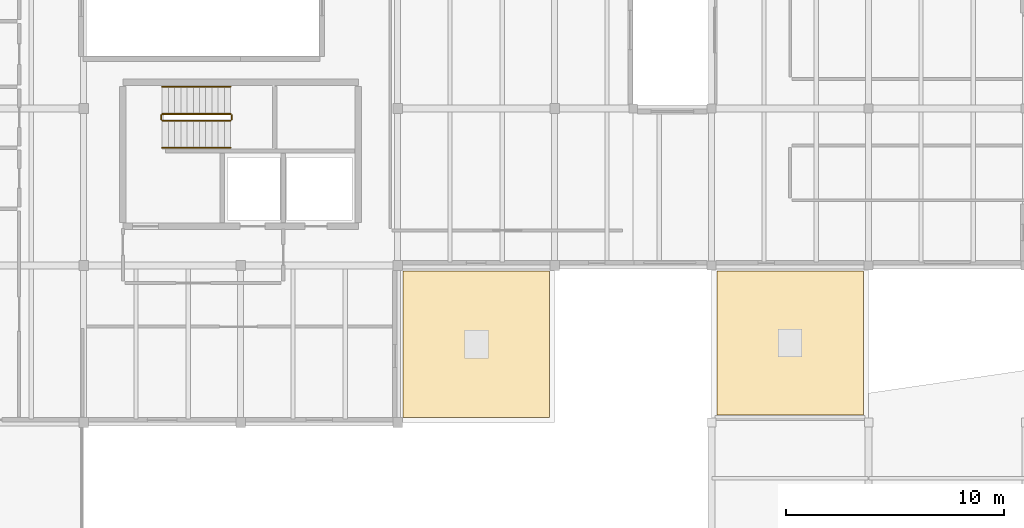
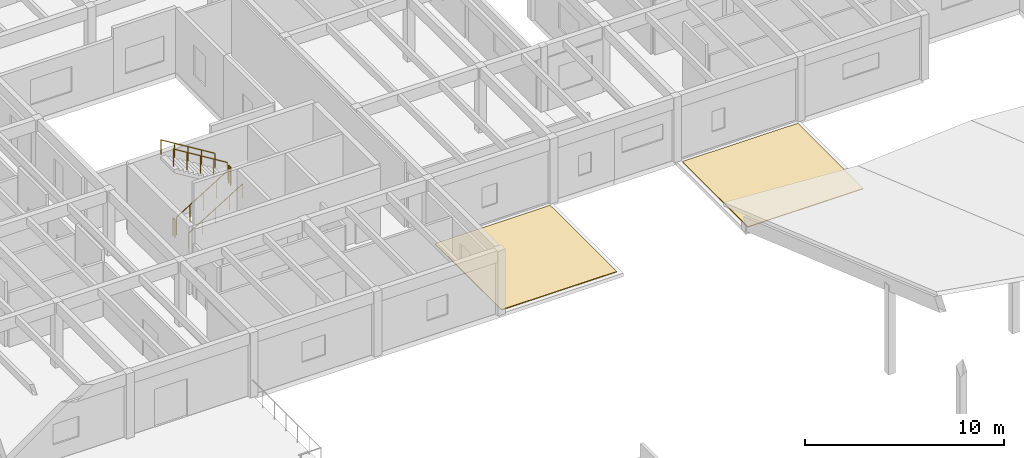
# One storey, part 65 of 68: 6 railings, 2 coverings.
"""IFC4 building model written with IfcOpenShell, lengths in metres."""

from ifc_helpers import new_model, si_unit, direction, frame, origin, origin_2d, place, context, subcontext, project, spatial, polyline, circle, outline, extrude, material, layer, layer_set, type_object, element, save


model = new_model("IFC4")

# Units and contexts
model_context = context("Model", 3, precision=1e-05, world=origin(), true_north=direction((0.0, 1.0)))
body_context = subcontext(model_context, "Body", "Model", "MODEL_VIEW")
ifc_project = project(units=[si_unit("LENGTHUNIT", "METRE"), si_unit("AREAUNIT", "SQUARE_METRE"), si_unit("VOLUMEUNIT", "CUBIC_METRE"), si_unit("PLANEANGLEUNIT", "RADIAN"), si_unit("MASSUNIT", "GRAM", prefix="KILO")], contexts=[model_context])

# Site, building, storey
site_placement = place(None, origin())
site = spatial("IfcSite", under=ifc_project, at=site_placement, CompositionType="ELEMENT")
building_placement = place(site_placement, origin())
building = spatial("IfcBuilding", under=site, at=building_placement, Name="Bramvelor Terrace Health Centre", CompositionType="ELEMENT")
storey_placement = place(building_placement, frame((0.0, 0.0, 9.300048828125)))
storey = spatial("IfcBuildingStorey", under=building, at=storey_placement, Name="L03", CompositionType="ELEMENT", Elevation=9.300048828125)

# Coverings
ifc_material_1 = material(Name="TPO standing-seam insulated roofing", Category="membrane")
ifc_layer = layer(ifc_material_1, 0.044921875)
ifc_layer_set = layer_set([ifc_layer], Name="TPO standing-seam insulated roofing")
covering_type = type_object("IfcCoveringType", Name="COV-ROOF-MEM", PredefinedType="ROOFING", material=ifc_layer_set)
covering_1_placement = place(storey_placement, frame((0.0, 0.0, -0.080078125)))
element("IfcCovering", 1, at=covering_1_placement, inside=storey, type_object=covering_type, Name="L03 Insulated Roof Membrane 2", PredefinedType="ROOFING", context=body_context, shape_type="SweptSolid", body=[
    extrude(outline(polyline([(43.43994140625, 79.5400390625), (43.43994140625, 86.14990234375), (50.159912109375, 86.14990234375), (50.159912109375, 79.5400390625), (43.43994140625, 79.5400390625)])), origin(), (0.0, 0.0, 1.0), 0.044921875),
])
covering_2_placement = place(storey_placement, frame((0.0, 0.0, -0.080078125)))
element("IfcCovering", 2, at=covering_2_placement, inside=storey, type_object=covering_type, Name="L03 Insulated Roof Membrane 3", PredefinedType="ROOFING", context=body_context, shape_type="SweptSolid", body=[
    extrude(outline(polyline([(29.050048828125, 79.43994140625), (29.050048828125, 86.14990234375), (35.760009765625, 86.14990234375), (35.760009765625, 79.43994140625), (29.050048828125, 79.43994140625)])), origin(), (0.0, 0.0, 1.0), 0.044921875),
])

# Railings
ifc_material_2 = material(Name="Painted galvanized steel", Category="steel")
railing_type_1 = type_object("IfcRailingType", Name="RLG-GD-1100", PredefinedType="GUARDRAIL", material=ifc_material_2)
railing_1_placement = place(storey_placement, frame((18.0, 93.050048828125, 0.175048828125)))
element("IfcRailing", 3, at=railing_1_placement, inside=storey, type_object=railing_type_1, Name="L03 ST-2 stair guard 1", PredefinedType="GUARDRAIL", context=body_context, shape_type="SweptSolid", body=[
    extrude(circle(Radius=0.02392578125, at=origin_2d()), frame((0.0, 0.0, 1.076171875), z_axis=(0.852195625947, 0.0, 0.523223293744), x_axis=(0.0, 1.0, 0.0)), (0.0, 0.0, 1.0), 3.6787109375),
    extrude(circle(Radius=0.02099609375, at=origin_2d()), origin(), (0.0, 0.0, 1.0), 1.052001953125),
    extrude(circle(Radius=0.02099609375, at=origin_2d()), frame((0.78369140625, 0.0, 0.481201171875)), (0.0, 0.0, 1.0), 1.052001953125),
    extrude(circle(Radius=0.02099609375, at=origin_2d()), frame((1.5673828125, 0.0, 0.96240234375)), (0.0, 0.0, 1.0), 1.052001953125),
    extrude(circle(Radius=0.02099609375, at=origin_2d()), frame((2.351318359375, 0.0, 1.443603515625)), (0.0, 0.0, 1.0), 1.052001953125),
    extrude(circle(Radius=0.02099609375, at=origin_2d()), frame((3.135009765625, 0.0, 1.9248046875)), (0.0, 0.0, 1.0), 1.052001953125),
])
railing_2_placement = place(storey_placement, frame((21.18505859375, 93.10009765625, 2.099853515625)))
element("IfcRailing", 4, at=railing_2_placement, inside=storey, type_object=railing_type_1, Name="L03 ST-2 stair guard 2", PredefinedType="GUARDRAIL", context=body_context, shape_type="SweptSolid", body=[
    extrude(circle(Radius=0.02392578125, at=origin_2d()), frame((0.0, 0.0, 1.076171875), z_axis=(0.0, 1.0, 0.0), x_axis=(-1.0, 0.0, 0.0)), (0.0, 0.0, 1.0), 0.199951171875),
    extrude(circle(Radius=0.02099609375, at=origin_2d()), origin(), (0.0, 0.0, 1.0), 1.052001953125),
    extrude(circle(Radius=0.02099609375, at=origin_2d()), frame((0.0, 0.199951171875, 0.0)), (0.0, 0.0, 1.0), 1.052001953125),
])
railing_3_placement = place(storey_placement, frame((21.135009765625, 93.35009765625, 2.27490234375)))
element("IfcRailing", 5, at=railing_3_placement, inside=storey, type_object=railing_type_1, Name="L03 ST-2 stair guard 3", PredefinedType="GUARDRAIL", context=body_context, shape_type="SweptSolid", body=[
    extrude(circle(Radius=0.02392578125, at=origin_2d()), frame((0.0, 0.0, 1.076171875), z_axis=(-0.852166034122, 0.0, 0.523271488128), x_axis=(0.0, -1.0, 0.0)), (0.0, 0.0, 1.0), 3.678955078125),
    extrude(circle(Radius=0.02099609375, at=origin_2d()), origin(), (0.0, 0.0, 1.0), 1.052001953125),
    extrude(circle(Radius=0.02099609375, at=origin_2d()), frame((-0.78369140625, 0.0, 0.481201171875)), (0.0, 0.0, 1.0), 1.052001953125),
    extrude(circle(Radius=0.02099609375, at=origin_2d()), frame((-1.5673828125, 0.0, 0.96240234375)), (0.0, 0.0, 1.0), 1.052001953125),
    extrude(circle(Radius=0.02099609375, at=origin_2d()), frame((-2.351318359375, 0.0, 1.44384765625)), (0.0, 0.0, 1.0), 1.052001953125),
    extrude(circle(Radius=0.02099609375, at=origin_2d()), frame((-3.135009765625, 0.0, 1.925048828125)), (0.0, 0.0, 1.0), 1.052001953125),
])
railing_4_placement = place(storey_placement, frame((17.949951171875, 93.10009765625, 0.0)))
element("IfcRailing", 6, at=railing_4_placement, inside=storey, type_object=railing_type_1, Name="L03 ST-2 stair guard 4", PredefinedType="GUARDRAIL", context=body_context, shape_type="SweptSolid", body=[
    extrude(circle(Radius=0.02392578125, at=origin_2d()), frame((0.0, 0.0, 1.076171875), z_axis=(0.0, 1.0, 0.0), x_axis=(-1.0, 0.0, 0.0)), (0.0, 0.0, 1.0), 0.199951171875),
    extrude(circle(Radius=0.02099609375, at=origin_2d()), origin(), (0.0, 0.0, 1.0), 1.052001953125),
    extrude(circle(Radius=0.02099609375, at=origin_2d()), frame((0.0, 0.199951171875, 0.0)), (0.0, 0.0, 1.0), 1.052001953125),
])
ifc_material_3 = material(Name="Brushed stainless steel 316", Category="steel")
railing_type_2 = type_object("IfcRailingType", Name="RLG-HR-900", PredefinedType="HANDRAIL", material=ifc_material_3)
railing_5_placement = place(storey_placement, frame((18.0, 91.800048828125, 0.175048828125)))
element("IfcRailing", 7, at=railing_5_placement, inside=storey, type_object=railing_type_2, Name="L03 ST-2 stair handrail 1", PredefinedType="HANDRAIL", context=body_context, shape_type="SweptSolid", body=[
    extrude(circle(Radius=0.02392578125, at=origin_2d()), frame((0.0, 0.0, 0.8759765625), z_axis=(0.852195625947, 0.0, 0.523223293744), x_axis=(0.0, 1.0, 0.0)), (0.0, 0.0, 1.0), 3.6787109375),
    extrude(circle(Radius=0.02099609375, at=origin_2d()), origin(), (0.0, 0.0, 1.0), 0.851806640625),
    extrude(circle(Radius=0.02099609375, at=origin_2d()), frame((0.78369140625, 0.0, 0.481201171875)), (0.0, 0.0, 1.0), 0.851806640625),
    extrude(circle(Radius=0.02099609375, at=origin_2d()), frame((1.5673828125, 0.0, 0.96240234375)), (0.0, 0.0, 1.0), 0.851806640625),
    extrude(circle(Radius=0.02099609375, at=origin_2d()), frame((2.351318359375, 0.0, 1.443603515625)), (0.0, 0.0, 1.0), 0.851806640625),
    extrude(circle(Radius=0.02099609375, at=origin_2d()), frame((3.135009765625, 0.0, 1.9248046875)), (0.0, 0.0, 1.0), 0.851806640625),
])
railing_6_placement = place(storey_placement, frame((21.135009765625, 94.60009765625, 2.27490234375)))
element("IfcRailing", 8, at=railing_6_placement, inside=storey, type_object=railing_type_2, Name="L03 ST-2 stair handrail 2", PredefinedType="HANDRAIL", context=body_context, shape_type="SweptSolid", body=[
    extrude(circle(Radius=0.02392578125, at=origin_2d()), frame((0.0, 0.0, 0.8759765625), z_axis=(-0.852166034122, 0.0, 0.523271488128), x_axis=(0.0, -1.0, 0.0)), (0.0, 0.0, 1.0), 3.678955078125),
    extrude(circle(Radius=0.02099609375, at=origin_2d()), origin(), (0.0, 0.0, 1.0), 0.851806640625),
    extrude(circle(Radius=0.02099609375, at=origin_2d()), frame((-0.78369140625, 0.0, 0.481201171875)), (0.0, 0.0, 1.0), 0.851806640625),
    extrude(circle(Radius=0.02099609375, at=origin_2d()), frame((-1.5673828125, 0.0, 0.96240234375)), (0.0, 0.0, 1.0), 0.851806640625),
    extrude(circle(Radius=0.02099609375, at=origin_2d()), frame((-2.351318359375, 0.0, 1.44384765625)), (0.0, 0.0, 1.0), 0.851806640625),
    extrude(circle(Radius=0.02099609375, at=origin_2d()), frame((-3.135009765625, 0.0, 1.925048828125)), (0.0, 0.0, 1.0), 0.851806640625),
])

save(model, "model.ifc")
